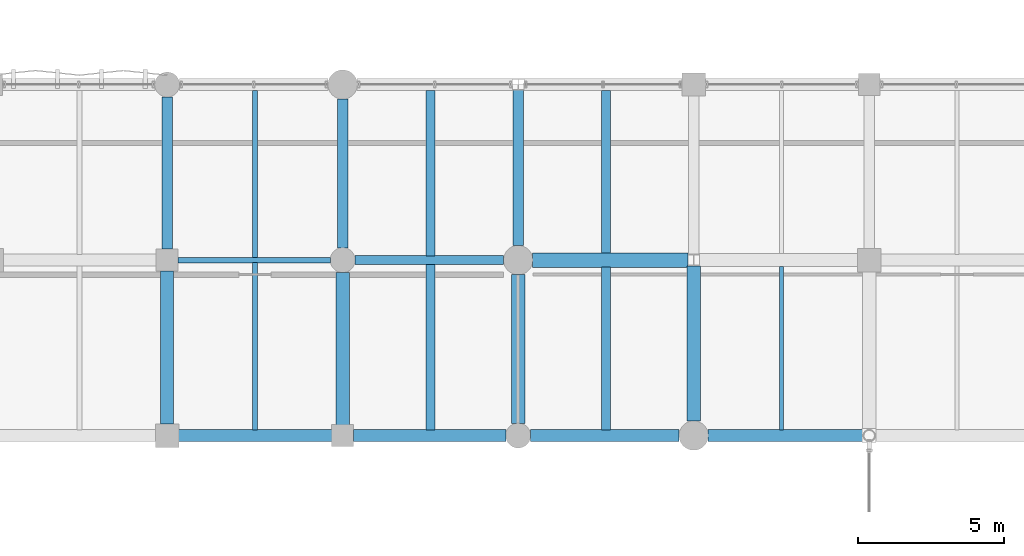
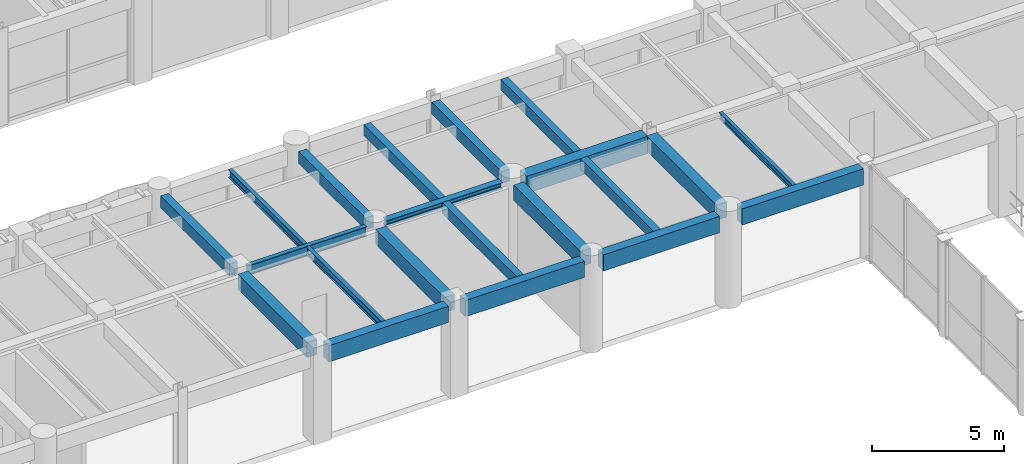
# One storey, part 39 of 133: 21 beams.
"""IFC4 building model written with IfcOpenShell, lengths in metres."""

from ifc_helpers import new_model, si_unit, direction, frame, origin, origin_2d, place, context, subcontext, project, spatial, rectangle, i_section, extrude, material, material_profile, profile_set, type_object, element, save


model = new_model("IFC4")

# Units and contexts
model_context = context("Model", 3, precision=1e-05, world=origin(), true_north=direction((0.0, 1.0)))
body_context = subcontext(model_context, "Body", "Model", "MODEL_VIEW")
ifc_project = project(units=[si_unit("LENGTHUNIT", "METRE"), si_unit("AREAUNIT", "SQUARE_METRE"), si_unit("VOLUMEUNIT", "CUBIC_METRE"), si_unit("PLANEANGLEUNIT", "RADIAN"), si_unit("MASSUNIT", "GRAM", prefix="KILO"), si_unit("THERMODYNAMICTEMPERATUREUNIT", "KELVIN"), si_unit("POWERUNIT", "WATT")], contexts=[model_context])

# Site, building, storey
site_placement = place(None, origin())
site = spatial("IfcSite", under=ifc_project, at=site_placement, CompositionType="ELEMENT")
building_placement = place(site_placement, origin())
building = spatial("IfcBuilding", under=site, at=building_placement, Name="Phaisarnlok Congress Hotel", CompositionType="ELEMENT")
storey_placement = place(building_placement, frame((0.0, 0.0, 6.0)))
storey = spatial("IfcBuildingStorey", under=building, at=storey_placement, Name="L01", CompositionType="ELEMENT", Elevation=6.0)

# Beams
ifc_material_1 = material(Name="Concrete C40/50", Category="concrete")
ifc_material_profile_1 = material_profile(ifc_material_1, rectangle(XDim=0.35009765625, YDim=0.550048828125, at=origin_2d()), Name="RC 350x550")
ifc_profile_set_1 = profile_set([ifc_material_profile_1], Name="Concrete C40/50")
beam_type_1 = type_object("IfcBeamType", Name="BM-RC-350x550", PredefinedType="BEAM", material=ifc_profile_set_1)
beam_1_placement = place(storey_placement, frame((96.0, 90.3701171875, 3.945068359375), z_axis=(0.0, 1.0, 0.0), x_axis=(-1.0, 0.0, 0.0)))
element("IfcBeam", 1, at=beam_1_placement, inside=storey, type_object=beam_type_1, Name="Beam B-01", PredefinedType="BEAM", context=body_context, shape_type="SweptSolid", body=[
    extrude(rectangle(XDim=0.35009765625, YDim=0.550048828125, at=origin_2d()), origin(), (0.0, 0.0, 1.0), 5.2099609375),
])
beam_2_placement = place(storey_placement, frame((102.0, 90.419921875, 3.945068359375), z_axis=(0.0, 1.0, 0.0), x_axis=(-1.0, 0.0, 0.0)))
element("IfcBeam", 2, at=beam_2_placement, inside=storey, type_object=beam_type_1, Name="Beam B-01", PredefinedType="BEAM", context=body_context, shape_type="SweptSolid", body=[
    extrude(rectangle(XDim=0.35009765625, YDim=0.550048828125, at=origin_2d()), origin(), (0.0, 0.0, 1.0), 5.0849609375),
])
beam_3_placement = place(storey_placement, frame((108.0, 90.4951171875, 3.945068359375), z_axis=(0.0, 1.0, 0.0), x_axis=(-1.0, 0.0, 0.0)))
element("IfcBeam", 3, at=beam_3_placement, inside=storey, type_object=beam_type_1, Name="Beam B-01", PredefinedType="BEAM", context=body_context, shape_type="SweptSolid", body=[
    extrude(rectangle(XDim=0.35009765625, YDim=0.550048828125, at=origin_2d()), origin(), (0.0, 0.0, 1.0), 5.310302734375),
])
ifc_material_profile_2 = material_profile(ifc_material_1, rectangle(XDim=0.449951171875, YDim=0.699951171875, at=origin_2d()), Name="RC 450x700")
ifc_profile_set_2 = profile_set([ifc_material_profile_2], Name="Concrete C40/50")
beam_type_2 = type_object("IfcBeamType", Name="BM-RC-450x700", PredefinedType="BEAM", material=ifc_profile_set_2)
beam_4_placement = place(storey_placement, frame((96.0, 84.39501953125, 3.8701171875), z_axis=(0.0, 1.0, 0.0), x_axis=(-1.0, 0.0, 0.0)))
element("IfcBeam", 4, at=beam_4_placement, inside=storey, type_object=beam_type_2, Name="Beam B-03", PredefinedType="BEAM", context=body_context, shape_type="SweptSolid", body=[
    extrude(rectangle(XDim=0.449951171875, YDim=0.699951171875, at=origin_2d()), origin(), (0.0, 0.0, 1.0), 5.23486328125),
])
beam_5_placement = place(storey_placement, frame((102.0, 84.3701171875, 3.8701171875), z_axis=(0.0, 1.0, 0.0), x_axis=(-1.0, 0.0, 0.0)))
element("IfcBeam", 5, at=beam_5_placement, inside=storey, type_object=beam_type_2, Name="Beam B-03", PredefinedType="BEAM", context=body_context, shape_type="SweptSolid", body=[
    extrude(rectangle(XDim=0.449951171875, YDim=0.699951171875, at=origin_2d()), origin(), (0.0, 0.0, 1.0), 5.2099609375),
])
beam_6_placement = place(storey_placement, frame((108.0, 84.419921875, 3.8701171875), z_axis=(0.0, 1.0, 0.0), x_axis=(-1.0, 0.0, 0.0)))
element("IfcBeam", 6, at=beam_6_placement, inside=storey, type_object=beam_type_2, Name="Beam B-03", PredefinedType="BEAM", context=body_context, shape_type="SweptSolid", body=[
    extrude(rectangle(XDim=0.449951171875, YDim=0.699951171875, at=origin_2d()), origin(), (0.0, 0.0, 1.0), 5.0849609375),
])
beam_7_placement = place(storey_placement, frame((114.0, 84.4951171875, 3.8701171875), z_axis=(0.0, 1.0, 0.0), x_axis=(-1.0, 0.0, 0.0)))
element("IfcBeam", 7, at=beam_7_placement, inside=storey, type_object=beam_type_2, Name="Beam B-03", PredefinedType="BEAM", context=body_context, shape_type="SweptSolid", body=[
    extrude(rectangle(XDim=0.449951171875, YDim=0.699951171875, at=origin_2d()), origin(), (0.0, 0.0, 1.0), 5.310302734375),
])
ifc_material_profile_3 = material_profile(ifc_material_1, rectangle(XDim=0.5, YDim=0.800048828125, at=origin_2d()), Name="RC 500x800")
ifc_profile_set_3 = profile_set([ifc_material_profile_3], Name="Concrete C40/50")
beam_type_3 = type_object("IfcBeamType", Name="BM-RC-500x800", PredefinedType="BEAM", material=ifc_profile_set_3)
beam_8_placement = place(storey_placement, frame((108.4951171875, 90.0, 3.820068359375), z_axis=(1.0, 0.0, 0.0), x_axis=(0.0, 1.0, 0.0)))
element("IfcBeam", 8, at=beam_8_placement, inside=storey, type_object=beam_type_3, Name="Beam B-04", PredefinedType="BEAM", context=body_context, shape_type="SweptSolid", body=[
    extrude(rectangle(XDim=0.5, YDim=0.800048828125, at=origin_2d()), origin(), (0.0, 0.0, 1.0), 5.309326171875),
])
ifc_material_2 = material(Name="Steel S355", Category="steel")
ifc_material_profile_4 = material_profile(ifc_material_2, i_section(OverallWidth=0.300048828125, OverallDepth=0.2900390625, WebThickness=0.008544921875, FlangeThickness=0.013916015625, FilletRadius=0.027099609375, at=origin_2d()), Name="HEA 300")
ifc_profile_set_4 = profile_set([ifc_material_profile_4], Name="Steel S355")
beam_type_4 = type_object("IfcBeamType", Name="BM-STL-HEA300", PredefinedType="BEAM", material=ifc_profile_set_4)
beam_9_placement = place(storey_placement, frame((102.419921875, 90.0, 4.074951171875), z_axis=(1.0, 0.0, 0.0), x_axis=(0.0, 1.0, 0.0)))
element("IfcBeam", 9, at=beam_9_placement, inside=storey, type_object=beam_type_4, Name="Beam SB-05", PredefinedType="BEAM", context=body_context, shape_type="SweptSolid", body=[
    extrude(i_section(OverallWidth=0.300048828125, OverallDepth=0.2900390625, WebThickness=0.008544921875, FlangeThickness=0.013916015625, FilletRadius=0.027099609375, at=origin_2d()), origin(), (0.0, 0.0, 1.0), 5.0849609375),
])
ifc_material_profile_5 = material_profile(ifc_material_2, i_section(OverallWidth=0.18994140625, OverallDepth=0.449951171875, WebThickness=0.009521484375, FlangeThickness=0.0146484375, FilletRadius=0.02099609375, at=origin_2d()), Name="IPE 450")
ifc_profile_set_5 = profile_set([ifc_material_profile_5], Name="Steel S355")
beam_type_5 = type_object("IfcBeamType", Name="BM-STL-IPE450", PredefinedType="BEAM", material=ifc_profile_set_5)
beam_10_placement = place(storey_placement, frame((96.3701171875, 90.0, 3.9951171875), z_axis=(1.0, 0.0, 0.0), x_axis=(0.0, 1.0, 0.0)))
element("IfcBeam", 10, at=beam_10_placement, inside=storey, type_object=beam_type_5, Name="Beam SB-01", PredefinedType="BEAM", context=body_context, shape_type="SweptSolid", body=[
    extrude(i_section(OverallWidth=0.18994140625, OverallDepth=0.449951171875, WebThickness=0.009521484375, FlangeThickness=0.0146484375, FilletRadius=0.02099609375, at=origin_2d()), origin(), (0.0, 0.0, 1.0), 5.2099609375),
])
ifc_material_profile_6 = material_profile(ifc_material_1, rectangle(XDim=0.300048828125, YDim=0.5, at=origin_2d()), Name="RC 300x500")
ifc_profile_set_6 = profile_set([ifc_material_profile_6], Name="Concrete C40/50")
beam_type_6 = type_object("IfcBeamType", Name="JS-RC-300x500", PredefinedType="JOIST", material=ifc_profile_set_6)
for number, where, z_axis, x_axis, name in (
    (11, (105.0, 84.195068359375, 3.969970703125), (0.0, 1.0, 0.0), (-1.0, 0.0, 0.0), "Secondary floor joist J-01"),
    (12, (105.0, 90.14501953125, 3.969970703125), (0.0, 1.0, 0.0), (-1.0, 0.0, 0.0), "Secondary floor joist J-01"),
):
    element("IfcBeam", number, at=place(storey_placement, frame(where, z_axis=z_axis, x_axis=x_axis)), inside=storey, type_object=beam_type_6, Name=name, PredefinedType="JOIST", context=body_context, shape_type="SweptSolid", body=[
        extrude(rectangle(XDim=0.300048828125, YDim=0.5, at=origin_2d()), origin(), (0.0, 0.0, 1.0), 5.659912109375),
    ])
for number, where, z_axis, x_axis, name in (
    (13, (111.0, 84.195068359375, 3.969970703125), (0.0, 1.0, 0.0), (-1.0, 0.0, 0.0), "Secondary floor joist J-01"),
    (14, (111.0, 90.2451171875, 3.969970703125), (0.0, 1.0, 0.0), (-1.0, 0.0, 0.0), "Secondary floor joist J-01"),
):
    element("IfcBeam", number, at=place(storey_placement, frame(where, z_axis=z_axis, x_axis=x_axis)), inside=storey, type_object=beam_type_6, Name=name, PredefinedType="JOIST", context=body_context, shape_type="SweptSolid", body=[
        extrude(rectangle(XDim=0.300048828125, YDim=0.5, at=origin_2d()), origin(), (0.0, 0.0, 1.0), 5.559814453125),
    ])
ifc_material_profile_7 = material_profile(ifc_material_2, i_section(OverallWidth=0.14990234375, OverallDepth=0.300048828125, WebThickness=0.007080078125, FlangeThickness=0.0107421875, FilletRadius=0.014892578125, at=origin_2d()), Name="IPE 300")
ifc_profile_set_7 = profile_set([ifc_material_profile_7], Name="Steel S355")
beam_type_7 = type_object("IfcBeamType", Name="JS-STL-IPE300", PredefinedType="JOIST", material=ifc_profile_set_7)
beam_11_placement = place(storey_placement, frame((117.0, 84.195068359375, 4.070068359375), z_axis=(0.0, 1.0, 0.0), x_axis=(-1.0, 0.0, 0.0)))
element("IfcBeam", 15, at=beam_11_placement, inside=storey, type_object=beam_type_7, Name="Secondary floor joist J-03", PredefinedType="JOIST", context=body_context, shape_type="SweptSolid", body=[
    extrude(i_section(OverallWidth=0.14990234375, OverallDepth=0.300048828125, WebThickness=0.007080078125, FlangeThickness=0.0107421875, FilletRadius=0.014892578125, at=origin_2d()), origin(), (0.0, 0.0, 1.0), 5.5849609375),
])
ifc_material_profile_8 = material_profile(ifc_material_2, i_section(OverallWidth=0.169921875, OverallDepth=0.360107421875, WebThickness=0.008056640625, FlangeThickness=0.0126953125, FilletRadius=0.01806640625, at=origin_2d()), Name="IPE 360")
ifc_profile_set_8 = profile_set([ifc_material_profile_8], Name="Steel S355")
beam_type_8 = type_object("IfcBeamType", Name="JS-STL-IPE360", PredefinedType="JOIST", material=ifc_profile_set_8)
for number, where, z_axis, x_axis, name in (
    (16, (99.0, 84.195068359375, 4.0400390625), (0.0, 1.0, 0.0), (-1.0, 0.0, 0.0), "Secondary floor joist J-04"),
    (17, (99.0, 90.090087890625, 4.0400390625), (0.0, 1.0, 0.0), (-1.0, 0.0, 0.0), "Secondary floor joist J-04"),
):
    element("IfcBeam", number, at=place(storey_placement, frame(where, z_axis=z_axis, x_axis=x_axis)), inside=storey, type_object=beam_type_8, Name=name, PredefinedType="JOIST", context=body_context, shape_type="SweptSolid", body=[
        extrude(i_section(OverallWidth=0.169921875, OverallDepth=0.360107421875, WebThickness=0.008056640625, FlangeThickness=0.0126953125, FilletRadius=0.01806640625, at=origin_2d()), origin(), (0.0, 0.0, 1.0), 5.71484375),
    ])
ifc_material_profile_9 = material_profile(ifc_material_1, rectangle(XDim=0.39990234375, YDim=0.75, at=origin_2d()), Name="RC 400x750")
ifc_profile_set_9 = profile_set([ifc_material_profile_9], Name="Concrete C40/50")
beam_type_9 = type_object("IfcBeamType", Name="SP-RC-400x750", PredefinedType="SPANDREL", material=ifc_profile_set_9)
beam_12_placement = place(storey_placement, frame((96.39501953125, 84.0, 3.844970703125), z_axis=(1.0, 0.0, 0.0), x_axis=(0.0, 1.0, 0.0)))
element("IfcBeam", 18, at=beam_12_placement, inside=storey, type_object=beam_type_9, Name="Beam SP-02", PredefinedType="SPANDREL", context=body_context, shape_type="SweptSolid", body=[
    extrude(rectangle(XDim=0.39990234375, YDim=0.75, at=origin_2d()), origin(), (0.0, 0.0, 1.0), 5.23486328125),
])
beam_13_placement = place(storey_placement, frame((102.3701171875, 84.0, 3.844970703125), z_axis=(1.0, 0.0, 0.0), x_axis=(0.0, 1.0, 0.0)))
element("IfcBeam", 19, at=beam_13_placement, inside=storey, type_object=beam_type_9, Name="Beam SP-02", PredefinedType="SPANDREL", context=body_context, shape_type="SweptSolid", body=[
    extrude(rectangle(XDim=0.39990234375, YDim=0.75, at=origin_2d()), origin(), (0.0, 0.0, 1.0), 5.2099609375),
])
beam_14_placement = place(storey_placement, frame((108.419921875, 84.0, 3.844970703125), z_axis=(1.0, 0.0, 0.0), x_axis=(0.0, 1.0, 0.0)))
element("IfcBeam", 20, at=beam_14_placement, inside=storey, type_object=beam_type_9, Name="Beam SP-02", PredefinedType="SPANDREL", context=body_context, shape_type="SweptSolid", body=[
    extrude(rectangle(XDim=0.39990234375, YDim=0.75, at=origin_2d()), origin(), (0.0, 0.0, 1.0), 5.0849609375),
])
beam_15_placement = place(storey_placement, frame((114.4951171875, 84.0, 3.844970703125), z_axis=(1.0, 0.0, 0.0), x_axis=(0.0, 1.0, 0.0)))
element("IfcBeam", 21, at=beam_15_placement, inside=storey, type_object=beam_type_9, Name="Beam SP-02", PredefinedType="SPANDREL", context=body_context, shape_type="SweptSolid", body=[
    extrude(rectangle(XDim=0.39990234375, YDim=0.75, at=origin_2d()), origin(), (0.0, 0.0, 1.0), 5.306640625),
])

save(model, "model.ifc")
